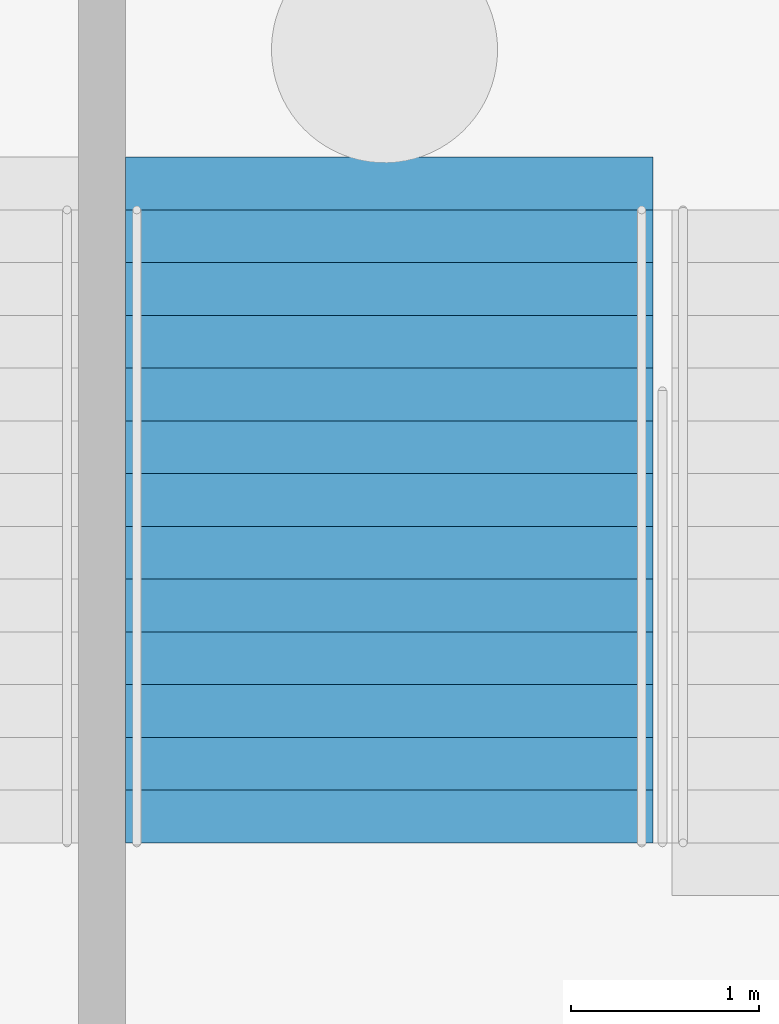
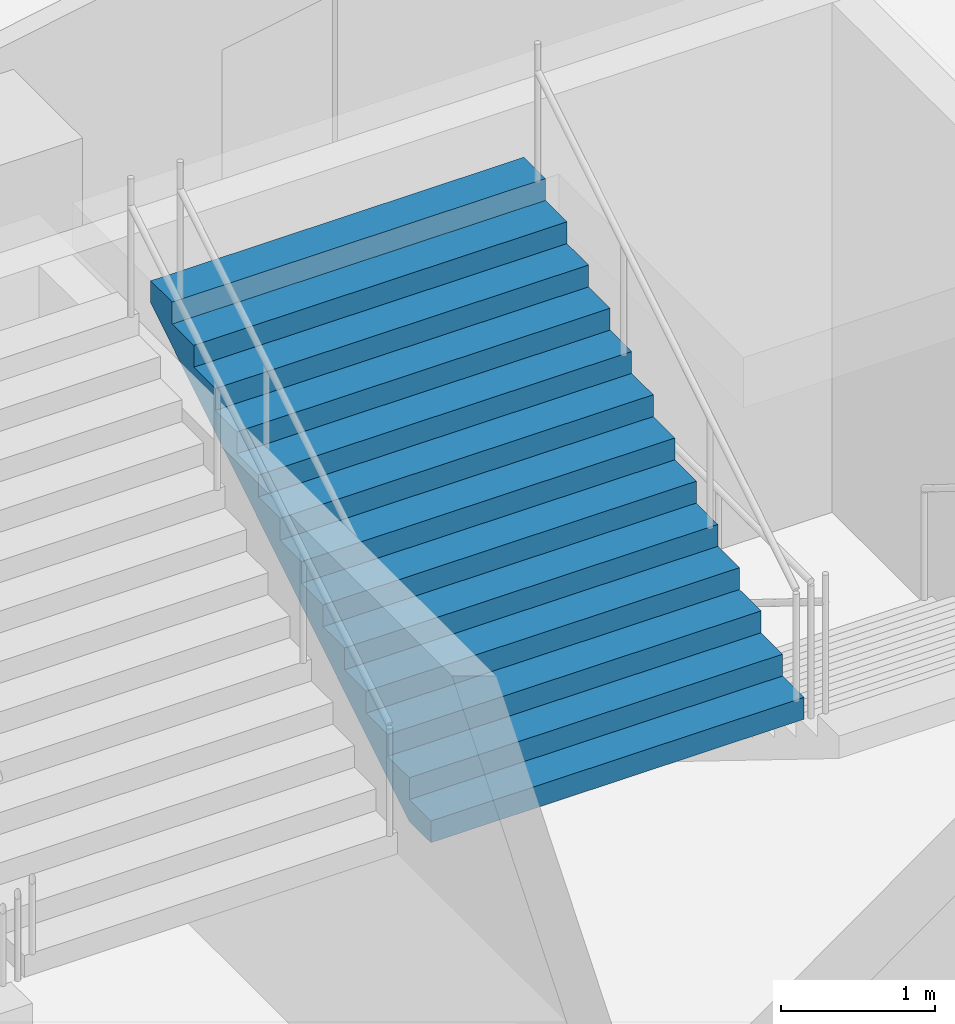
# One storey, part 69 of 115: 1 stair flight, 1 element without a shape of its own.
"""IFC4 building model written with IfcOpenShell, lengths in metres."""

from ifc_helpers import new_model, si_unit, direction, frame, origin, place, context, subcontext, project, spatial, faceted_brep, material, type_object, element, aggregate, save


model = new_model("IFC4")

# Units and contexts
model_context = context("Model", 3, precision=1e-05, world=origin(), true_north=direction((0.0, 1.0)))
body_context = subcontext(model_context, "Body", "Model", "MODEL_VIEW")
ifc_project = project(units=[si_unit("LENGTHUNIT", "METRE"), si_unit("AREAUNIT", "SQUARE_METRE"), si_unit("VOLUMEUNIT", "CUBIC_METRE"), si_unit("PLANEANGLEUNIT", "RADIAN"), si_unit("MASSUNIT", "GRAM", prefix="KILO")], contexts=[model_context])

# Site, building, storey
site_placement = place(None, origin())
site = spatial("IfcSite", under=ifc_project, at=site_placement, CompositionType="ELEMENT")
building_placement = place(site_placement, origin())
building = spatial("IfcBuilding", under=site, at=building_placement, Name="Ogive Plaza Stadium", CompositionType="ELEMENT")
storey_placement = place(building_placement, frame((0.0, 0.0, -4.5)))
storey = spatial("IfcBuildingStorey", under=building, at=storey_placement, Name="B1", CompositionType="ELEMENT", Elevation=-4.5)

# Stair, stair flight
ifc_material_1 = material(Name="Concrete C40/50", Category="concrete")
stair_type = type_object("IfcStairType", Name="Exit stair", PredefinedType="STRAIGHT_RUN_STAIR", material=ifc_material_1)
stair_placement = place(storey_placement, origin())
stair = element("IfcStair", 1, at=stair_placement, inside=storey, type_object=stair_type, Name="Exit stair ST12B B1 to L00", PredefinedType="STRAIGHT_RUN_STAIR")
ifc_material_2 = material(Name="Concrete C40/50", Category="concrete")
stair_flight_type = type_object("IfcStairFlightType", Name="Exit stair flight", PredefinedType="STRAIGHT", material=ifc_material_2)
stair_flight_placement = place(storey_placement, frame((35.52490234375, -98.2099609375, 2.25), z_axis=(0.0, 0.0, 1.0), x_axis=(0.0, 1.0, 0.0)))
stair_flight = element("IfcStairFlight", 2, at=stair_flight_placement, type_object=stair_flight_type, Name="ST12B flight 2", NumberOfRisers=13, NumberOfTreads=12, PredefinedType="STRAIGHT", RiserHeight=0.173076923, TreadLength=0.28, context=body_context, shape_type="Brep", body=[
    faceted_brep([(0.28515625, -1.39990234375, 0.0), (3.639892578125, -1.39990234375, 2.07373046875), (3.639892578125, -1.39990234375, 2.25), (3.360107421875, -1.39990234375, 2.25), (3.360107421875, -1.39990234375, 2.076904296875), (3.080078125, -1.39990234375, 2.076904296875), (3.080078125, -1.39990234375, 1.90380859375), (2.800048828125, -1.39990234375, 1.90380859375), (2.800048828125, -1.39990234375, 1.730712890625), (2.52001953125, -1.39990234375, 1.730712890625), (2.52001953125, -1.39990234375, 1.5576171875), (2.239990234375, -1.39990234375, 1.5576171875), (2.239990234375, -1.39990234375, 1.384521484375), (1.9599609375, -1.39990234375, 1.384521484375), (1.9599609375, -1.39990234375, 1.21142578125), (1.679931640625, -1.39990234375, 1.21142578125), (1.679931640625, -1.39990234375, 1.03857421875), (1.39990234375, -1.39990234375, 1.03857421875), (1.39990234375, -1.39990234375, 0.865478515625), (1.1201171875, -1.39990234375, 0.865478515625), (1.1201171875, -1.39990234375, 0.6923828125), (0.840087890625, -1.39990234375, 0.6923828125), (0.840087890625, -1.39990234375, 0.519287109375), (0.56005859375, -1.39990234375, 0.519287109375), (0.56005859375, -1.39990234375, 0.34619140625), (0.280029296875, -1.39990234375, 0.34619140625), (0.280029296875, -1.39990234375, 0.173095703125), (0.0, -1.39990234375, 0.173095703125), (0.0, -1.39990234375, 0.0), (0.0, 1.39990234375, 0.0), (0.0, 1.39990234375, 0.173095703125), (0.280029296875, 1.39990234375, 0.173095703125), (0.280029296875, 1.39990234375, 0.34619140625), (0.56005859375, 1.39990234375, 0.34619140625), (0.56005859375, 1.39990234375, 0.519287109375), (0.840087890625, 1.39990234375, 0.519287109375), (0.840087890625, 1.39990234375, 0.6923828125), (1.1201171875, 1.39990234375, 0.6923828125), (1.1201171875, 1.39990234375, 0.865478515625), (1.39990234375, 1.39990234375, 0.865478515625), (1.39990234375, 1.39990234375, 1.03857421875), (1.679931640625, 1.39990234375, 1.03857421875), (1.679931640625, 1.39990234375, 1.21142578125), (1.9599609375, 1.39990234375, 1.21142578125), (1.9599609375, 1.39990234375, 1.384521484375), (2.239990234375, 1.39990234375, 1.384521484375), (2.239990234375, 1.39990234375, 1.5576171875), (2.52001953125, 1.39990234375, 1.5576171875), (2.52001953125, 1.39990234375, 1.730712890625), (2.800048828125, 1.39990234375, 1.730712890625), (2.800048828125, 1.39990234375, 1.90380859375), (3.080078125, 1.39990234375, 1.90380859375), (3.080078125, 1.39990234375, 2.076904296875), (3.360107421875, 1.39990234375, 2.076904296875), (3.360107421875, 1.39990234375, 2.25), (3.639892578125, 1.39990234375, 2.25), (3.639892578125, 1.39990234375, 2.07373046875), (0.28515625, 1.39990234375, 0.0), (0.28515625, -1.0888671875, 0.0), (3.639892578125, -1.0888671875, 2.07373046875), (0.28515625, -0.77783203125, 0.0), (3.639892578125, -0.77783203125, 2.07373046875), (0.28515625, -0.466796875, 0.0), (3.639892578125, -0.466796875, 2.07373046875), (0.28515625, -0.155517578125, 0.0), (3.639892578125, -0.155517578125, 2.07373046875), (0.28515625, 0.155517578125, 0.0), (3.639892578125, 0.155517578125, 2.07373046875), (0.28515625, 0.466796875, 0.0), (3.639892578125, 0.466796875, 2.07373046875), (0.28515625, 0.77783203125, 0.0), (3.639892578125, 0.77783203125, 2.07373046875), (0.28515625, 1.0888671875, 0.0), (3.639892578125, 1.0888671875, 2.07373046875), (3.639892578125, -1.0888671875, 2.25), (3.639892578125, -0.77783203125, 2.25), (3.639892578125, -0.466796875, 2.25), (3.639892578125, -0.155517578125, 2.25), (3.639892578125, 0.155517578125, 2.25), (3.639892578125, 0.466796875, 2.25), (3.639892578125, 0.77783203125, 2.25), (3.639892578125, 1.0888671875, 2.25), (3.360107421875, -1.0888671875, 2.25), (3.360107421875, -0.77783203125, 2.25), (3.360107421875, -0.466796875, 2.25), (3.360107421875, -0.155517578125, 2.25), (3.360107421875, 0.155517578125, 2.25), (3.360107421875, 0.466796875, 2.25), (3.360107421875, 0.77783203125, 2.25), (3.360107421875, 1.0888671875, 2.25), (3.360107421875, -1.0888671875, 2.076904296875), (3.360107421875, -0.77783203125, 2.076904296875), (3.360107421875, -0.466796875, 2.076904296875), (3.360107421875, -0.155517578125, 2.076904296875), (3.360107421875, 0.155517578125, 2.076904296875), (3.360107421875, 0.466796875, 2.076904296875), (3.360107421875, 0.77783203125, 2.076904296875), (3.360107421875, 1.0888671875, 2.076904296875), (3.080078125, -1.0888671875, 2.076904296875), (3.080078125, -0.77783203125, 2.076904296875), (3.080078125, -0.466796875, 2.076904296875), (3.080078125, -0.155517578125, 2.076904296875), (3.080078125, 0.155517578125, 2.076904296875), (3.080078125, 0.466796875, 2.076904296875), (3.080078125, 0.77783203125, 2.076904296875), (3.080078125, 1.0888671875, 2.076904296875), (3.080078125, -1.0888671875, 1.90380859375), (3.080078125, -0.77783203125, 1.90380859375), (3.080078125, -0.466796875, 1.90380859375), (3.080078125, -0.155517578125, 1.90380859375), (3.080078125, 0.155517578125, 1.90380859375), (3.080078125, 0.466796875, 1.90380859375), (3.080078125, 0.77783203125, 1.90380859375), (3.080078125, 1.0888671875, 1.90380859375), (2.800048828125, -1.0888671875, 1.90380859375), (2.800048828125, -0.77783203125, 1.90380859375), (2.800048828125, -0.466796875, 1.90380859375), (2.800048828125, -0.155517578125, 1.90380859375), (2.800048828125, 0.155517578125, 1.90380859375), (2.800048828125, 0.466796875, 1.90380859375), (2.800048828125, 0.77783203125, 1.90380859375), (2.800048828125, 1.0888671875, 1.90380859375), (2.800048828125, -1.0888671875, 1.730712890625), (2.800048828125, -0.77783203125, 1.730712890625), (2.800048828125, -0.466796875, 1.730712890625), (2.800048828125, -0.155517578125, 1.730712890625), (2.800048828125, 0.155517578125, 1.730712890625), (2.800048828125, 0.466796875, 1.730712890625), (2.800048828125, 0.77783203125, 1.730712890625), (2.800048828125, 1.0888671875, 1.730712890625), (2.52001953125, -1.0888671875, 1.730712890625), (2.52001953125, -0.77783203125, 1.730712890625), (2.52001953125, -0.466796875, 1.730712890625), (2.52001953125, -0.155517578125, 1.730712890625), (2.52001953125, 0.155517578125, 1.730712890625), (2.52001953125, 0.466796875, 1.730712890625), (2.52001953125, 0.77783203125, 1.730712890625), (2.52001953125, 1.0888671875, 1.730712890625), (2.52001953125, -1.0888671875, 1.5576171875), (2.52001953125, -0.77783203125, 1.5576171875), (2.52001953125, -0.466796875, 1.5576171875), (2.52001953125, -0.155517578125, 1.5576171875), (2.52001953125, 0.155517578125, 1.5576171875), (2.52001953125, 0.466796875, 1.5576171875), (2.52001953125, 0.77783203125, 1.5576171875), (2.52001953125, 1.0888671875, 1.5576171875), (2.239990234375, -1.0888671875, 1.5576171875), (2.239990234375, -0.77783203125, 1.5576171875), (2.239990234375, -0.466796875, 1.5576171875), (2.239990234375, -0.155517578125, 1.5576171875), (2.239990234375, 0.155517578125, 1.5576171875), (2.239990234375, 0.466796875, 1.5576171875), (2.239990234375, 0.77783203125, 1.5576171875), (2.239990234375, 1.0888671875, 1.5576171875), (2.239990234375, -1.0888671875, 1.384521484375), (2.239990234375, -0.77783203125, 1.384521484375), (2.239990234375, -0.466796875, 1.384521484375), (2.239990234375, -0.155517578125, 1.384521484375), (2.239990234375, 0.155517578125, 1.384521484375), (2.239990234375, 0.466796875, 1.384521484375), (2.239990234375, 0.77783203125, 1.384521484375), (2.239990234375, 1.0888671875, 1.384521484375), (1.9599609375, -1.0888671875, 1.384521484375), (1.9599609375, -0.77783203125, 1.384521484375), (1.9599609375, -0.466796875, 1.384521484375), (1.9599609375, -0.155517578125, 1.384521484375), (1.9599609375, 0.155517578125, 1.384521484375), (1.9599609375, 0.466796875, 1.384521484375), (1.9599609375, 0.77783203125, 1.384521484375), (1.9599609375, 1.0888671875, 1.384521484375), (1.9599609375, -1.0888671875, 1.21142578125), (1.9599609375, -0.77783203125, 1.21142578125), (1.9599609375, -0.466796875, 1.21142578125), (1.9599609375, -0.155517578125, 1.21142578125), (1.9599609375, 0.155517578125, 1.21142578125), (1.9599609375, 0.466796875, 1.21142578125), (1.9599609375, 0.77783203125, 1.21142578125), (1.9599609375, 1.0888671875, 1.21142578125), (1.679931640625, -1.0888671875, 1.21142578125), (1.679931640625, -0.77783203125, 1.21142578125), (1.679931640625, -0.466796875, 1.21142578125), (1.679931640625, -0.155517578125, 1.21142578125), (1.679931640625, 0.155517578125, 1.21142578125), (1.679931640625, 0.466796875, 1.21142578125), (1.679931640625, 0.77783203125, 1.21142578125), (1.679931640625, 1.0888671875, 1.21142578125), (1.679931640625, -1.0888671875, 1.03857421875), (1.679931640625, -0.77783203125, 1.03857421875), (1.679931640625, -0.466796875, 1.03857421875), (1.679931640625, -0.155517578125, 1.03857421875), (1.679931640625, 0.155517578125, 1.03857421875), (1.679931640625, 0.466796875, 1.03857421875), (1.679931640625, 0.77783203125, 1.03857421875), (1.679931640625, 1.0888671875, 1.03857421875), (1.39990234375, -1.0888671875, 1.03857421875), (1.39990234375, -0.77783203125, 1.03857421875), (1.39990234375, -0.466796875, 1.03857421875), (1.39990234375, -0.155517578125, 1.03857421875), (1.39990234375, 0.155517578125, 1.03857421875), (1.39990234375, 0.466796875, 1.03857421875), (1.39990234375, 0.77783203125, 1.03857421875), (1.39990234375, 1.0888671875, 1.03857421875), (1.39990234375, -1.0888671875, 0.865478515625), (1.39990234375, -0.77783203125, 0.865478515625), (1.39990234375, -0.466796875, 0.865478515625), (1.39990234375, -0.155517578125, 0.865478515625), (1.39990234375, 0.155517578125, 0.865478515625), (1.39990234375, 0.466796875, 0.865478515625), (1.39990234375, 0.77783203125, 0.865478515625), (1.39990234375, 1.0888671875, 0.865478515625), (1.1201171875, -1.0888671875, 0.865478515625), (1.1201171875, -0.77783203125, 0.865478515625), (1.1201171875, -0.466796875, 0.865478515625), (1.1201171875, -0.155517578125, 0.865478515625), (1.1201171875, 0.155517578125, 0.865478515625), (1.1201171875, 0.466796875, 0.865478515625), (1.1201171875, 0.77783203125, 0.865478515625), (1.1201171875, 1.0888671875, 0.865478515625), (1.1201171875, -1.0888671875, 0.6923828125), (1.1201171875, -0.77783203125, 0.6923828125), (1.1201171875, -0.466796875, 0.6923828125), (1.1201171875, -0.155517578125, 0.6923828125), (1.1201171875, 0.155517578125, 0.6923828125), (1.1201171875, 0.466796875, 0.6923828125), (1.1201171875, 0.77783203125, 0.6923828125), (1.1201171875, 1.0888671875, 0.6923828125), (0.840087890625, -1.0888671875, 0.6923828125), (0.840087890625, -0.77783203125, 0.6923828125), (0.840087890625, -0.466796875, 0.6923828125), (0.840087890625, -0.155517578125, 0.6923828125), (0.840087890625, 0.155517578125, 0.6923828125), (0.840087890625, 0.466796875, 0.6923828125), (0.840087890625, 0.77783203125, 0.6923828125), (0.840087890625, 1.0888671875, 0.6923828125), (0.840087890625, -1.0888671875, 0.519287109375), (0.840087890625, -0.77783203125, 0.519287109375), (0.840087890625, -0.466796875, 0.519287109375), (0.840087890625, -0.155517578125, 0.519287109375), (0.840087890625, 0.155517578125, 0.519287109375), (0.840087890625, 0.466796875, 0.519287109375), (0.840087890625, 0.77783203125, 0.519287109375), (0.840087890625, 1.0888671875, 0.519287109375), (0.56005859375, -1.0888671875, 0.519287109375), (0.56005859375, -0.77783203125, 0.519287109375), (0.56005859375, -0.466796875, 0.519287109375), (0.56005859375, -0.155517578125, 0.519287109375), (0.56005859375, 0.155517578125, 0.519287109375), (0.56005859375, 0.466796875, 0.519287109375), (0.56005859375, 0.77783203125, 0.519287109375), (0.56005859375, 1.0888671875, 0.519287109375), (0.56005859375, -1.0888671875, 0.34619140625), (0.56005859375, -0.77783203125, 0.34619140625), (0.56005859375, -0.466796875, 0.34619140625), (0.56005859375, -0.155517578125, 0.34619140625), (0.56005859375, 0.155517578125, 0.34619140625), (0.56005859375, 0.466796875, 0.34619140625), (0.56005859375, 0.77783203125, 0.34619140625), (0.56005859375, 1.0888671875, 0.34619140625), (0.280029296875, -1.0888671875, 0.34619140625), (0.280029296875, -0.77783203125, 0.34619140625), (0.280029296875, -0.466796875, 0.34619140625), (0.280029296875, -0.155517578125, 0.34619140625), (0.280029296875, 0.155517578125, 0.34619140625), (0.280029296875, 0.466796875, 0.34619140625), (0.280029296875, 0.77783203125, 0.34619140625), (0.280029296875, 1.0888671875, 0.34619140625), (0.280029296875, -1.0888671875, 0.173095703125), (0.280029296875, -0.77783203125, 0.173095703125), (0.280029296875, -0.466796875, 0.173095703125), (0.280029296875, -0.155517578125, 0.173095703125), (0.280029296875, 0.155517578125, 0.173095703125), (0.280029296875, 0.466796875, 0.173095703125), (0.280029296875, 0.77783203125, 0.173095703125), (0.280029296875, 1.0888671875, 0.173095703125), (0.0, -1.0888671875, 0.173095703125), (0.0, -0.77783203125, 0.173095703125), (0.0, -0.466796875, 0.173095703125), (0.0, -0.155517578125, 0.173095703125), (0.0, 0.155517578125, 0.173095703125), (0.0, 0.466796875, 0.173095703125), (0.0, 0.77783203125, 0.173095703125), (0.0, 1.0888671875, 0.173095703125), (0.0, -1.0888671875, 0.0), (0.0, -0.77783203125, 0.0), (0.0, -0.466796875, 0.0), (0.0, -0.155517578125, 0.0), (0.0, 0.155517578125, 0.0), (0.0, 0.466796875, 0.0), (0.0, 0.77783203125, 0.0), (0.0, 1.0888671875, 0.0)], [[[0, 1, 2, 3, 4, 5, 6, 7, 8, 9, 10, 11, 12, 13, 14, 15, 16, 17, 18, 19, 20, 21, 22, 23, 24, 25, 26, 27, 28]], [[29, 30, 31, 32, 33, 34, 35, 36, 37, 38, 39, 40, 41, 42, 43, 44, 45, 46, 47, 48, 49, 50, 51, 52, 53, 54, 55, 56, 57]], [[0, 58, 59, 1]], [[58, 60, 61, 59]], [[60, 62, 63, 61]], [[62, 64, 65, 63]], [[64, 66, 67, 65]], [[66, 68, 69, 67]], [[68, 70, 71, 69]], [[70, 72, 73, 71]], [[72, 57, 56, 73]], [[1, 59, 74, 2]], [[59, 61, 75, 74]], [[61, 63, 76, 75]], [[63, 65, 77, 76]], [[65, 67, 78, 77]], [[67, 69, 79, 78]], [[69, 71, 80, 79]], [[71, 73, 81, 80]], [[73, 56, 55, 81]], [[2, 74, 82, 3]], [[74, 75, 83, 82]], [[75, 76, 84, 83]], [[76, 77, 85, 84]], [[77, 78, 86, 85]], [[78, 79, 87, 86]], [[79, 80, 88, 87]], [[80, 81, 89, 88]], [[81, 55, 54, 89]], [[3, 82, 90, 4]], [[82, 83, 91, 90]], [[83, 84, 92, 91]], [[84, 85, 93, 92]], [[85, 86, 94, 93]], [[86, 87, 95, 94]], [[87, 88, 96, 95]], [[88, 89, 97, 96]], [[89, 54, 53, 97]], [[4, 90, 98, 5]], [[90, 91, 99, 98]], [[91, 92, 100, 99]], [[92, 93, 101, 100]], [[93, 94, 102, 101]], [[94, 95, 103, 102]], [[95, 96, 104, 103]], [[96, 97, 105, 104]], [[97, 53, 52, 105]], [[5, 98, 106, 6]], [[98, 99, 107, 106]], [[99, 100, 108, 107]], [[100, 101, 109, 108]], [[101, 102, 110, 109]], [[102, 103, 111, 110]], [[103, 104, 112, 111]], [[104, 105, 113, 112]], [[105, 52, 51, 113]], [[6, 106, 114, 7]], [[106, 107, 115, 114]], [[107, 108, 116, 115]], [[108, 109, 117, 116]], [[109, 110, 118, 117]], [[110, 111, 119, 118]], [[111, 112, 120, 119]], [[112, 113, 121, 120]], [[113, 51, 50, 121]], [[7, 114, 122, 8]], [[114, 115, 123, 122]], [[115, 116, 124, 123]], [[116, 117, 125, 124]], [[117, 118, 126, 125]], [[118, 119, 127, 126]], [[119, 120, 128, 127]], [[120, 121, 129, 128]], [[121, 50, 49, 129]], [[8, 122, 130, 9]], [[122, 123, 131, 130]], [[123, 124, 132, 131]], [[124, 125, 133, 132]], [[125, 126, 134, 133]], [[126, 127, 135, 134]], [[127, 128, 136, 135]], [[128, 129, 137, 136]], [[129, 49, 48, 137]], [[9, 130, 138, 10]], [[130, 131, 139, 138]], [[131, 132, 140, 139]], [[132, 133, 141, 140]], [[133, 134, 142, 141]], [[134, 135, 143, 142]], [[135, 136, 144, 143]], [[136, 137, 145, 144]], [[137, 48, 47, 145]], [[10, 138, 146, 11]], [[138, 139, 147, 146]], [[139, 140, 148, 147]], [[140, 141, 149, 148]], [[141, 142, 150, 149]], [[142, 143, 151, 150]], [[143, 144, 152, 151]], [[144, 145, 153, 152]], [[145, 47, 46, 153]], [[11, 146, 154, 12]], [[146, 147, 155, 154]], [[147, 148, 156, 155]], [[148, 149, 157, 156]], [[149, 150, 158, 157]], [[150, 151, 159, 158]], [[151, 152, 160, 159]], [[152, 153, 161, 160]], [[153, 46, 45, 161]], [[12, 154, 162, 13]], [[154, 155, 163, 162]], [[155, 156, 164, 163]], [[156, 157, 165, 164]], [[157, 158, 166, 165]], [[158, 159, 167, 166]], [[159, 160, 168, 167]], [[160, 161, 169, 168]], [[161, 45, 44, 169]], [[13, 162, 170, 14]], [[162, 163, 171, 170]], [[163, 164, 172, 171]], [[164, 165, 173, 172]], [[165, 166, 174, 173]], [[166, 167, 175, 174]], [[167, 168, 176, 175]], [[168, 169, 177, 176]], [[169, 44, 43, 177]], [[14, 170, 178, 15]], [[170, 171, 179, 178]], [[171, 172, 180, 179]], [[172, 173, 181, 180]], [[173, 174, 182, 181]], [[174, 175, 183, 182]], [[175, 176, 184, 183]], [[176, 177, 185, 184]], [[177, 43, 42, 185]], [[15, 178, 186, 16]], [[178, 179, 187, 186]], [[179, 180, 188, 187]], [[180, 181, 189, 188]], [[181, 182, 190, 189]], [[182, 183, 191, 190]], [[183, 184, 192, 191]], [[184, 185, 193, 192]], [[185, 42, 41, 193]], [[16, 186, 194, 17]], [[186, 187, 195, 194]], [[187, 188, 196, 195]], [[188, 189, 197, 196]], [[189, 190, 198, 197]], [[190, 191, 199, 198]], [[191, 192, 200, 199]], [[192, 193, 201, 200]], [[193, 41, 40, 201]], [[17, 194, 202, 18]], [[194, 195, 203, 202]], [[195, 196, 204, 203]], [[196, 197, 205, 204]], [[197, 198, 206, 205]], [[198, 199, 207, 206]], [[199, 200, 208, 207]], [[200, 201, 209, 208]], [[201, 40, 39, 209]], [[18, 202, 210, 19]], [[202, 203, 211, 210]], [[203, 204, 212, 211]], [[204, 205, 213, 212]], [[205, 206, 214, 213]], [[206, 207, 215, 214]], [[207, 208, 216, 215]], [[208, 209, 217, 216]], [[209, 39, 38, 217]], [[19, 210, 218, 20]], [[210, 211, 219, 218]], [[211, 212, 220, 219]], [[212, 213, 221, 220]], [[213, 214, 222, 221]], [[214, 215, 223, 222]], [[215, 216, 224, 223]], [[216, 217, 225, 224]], [[217, 38, 37, 225]], [[20, 218, 226, 21]], [[218, 219, 227, 226]], [[219, 220, 228, 227]], [[220, 221, 229, 228]], [[221, 222, 230, 229]], [[222, 223, 231, 230]], [[223, 224, 232, 231]], [[224, 225, 233, 232]], [[225, 37, 36, 233]], [[21, 226, 234, 22]], [[226, 227, 235, 234]], [[227, 228, 236, 235]], [[228, 229, 237, 236]], [[229, 230, 238, 237]], [[230, 231, 239, 238]], [[231, 232, 240, 239]], [[232, 233, 241, 240]], [[233, 36, 35, 241]], [[22, 234, 242, 23]], [[234, 235, 243, 242]], [[235, 236, 244, 243]], [[236, 237, 245, 244]], [[237, 238, 246, 245]], [[238, 239, 247, 246]], [[239, 240, 248, 247]], [[240, 241, 249, 248]], [[241, 35, 34, 249]], [[23, 242, 250, 24]], [[242, 243, 251, 250]], [[243, 244, 252, 251]], [[244, 245, 253, 252]], [[245, 246, 254, 253]], [[246, 247, 255, 254]], [[247, 248, 256, 255]], [[248, 249, 257, 256]], [[249, 34, 33, 257]], [[24, 250, 258, 25]], [[250, 251, 259, 258]], [[251, 252, 260, 259]], [[252, 253, 261, 260]], [[253, 254, 262, 261]], [[254, 255, 263, 262]], [[255, 256, 264, 263]], [[256, 257, 265, 264]], [[257, 33, 32, 265]], [[25, 258, 266, 26]], [[258, 259, 267, 266]], [[259, 260, 268, 267]], [[260, 261, 269, 268]], [[261, 262, 270, 269]], [[262, 263, 271, 270]], [[263, 264, 272, 271]], [[264, 265, 273, 272]], [[265, 32, 31, 273]], [[26, 266, 274, 27]], [[266, 267, 275, 274]], [[267, 268, 276, 275]], [[268, 269, 277, 276]], [[269, 270, 278, 277]], [[270, 271, 279, 278]], [[271, 272, 280, 279]], [[272, 273, 281, 280]], [[273, 31, 30, 281]], [[27, 274, 282, 28]], [[274, 275, 283, 282]], [[275, 276, 284, 283]], [[276, 277, 285, 284]], [[277, 278, 286, 285]], [[278, 279, 287, 286]], [[279, 280, 288, 287]], [[280, 281, 289, 288]], [[281, 30, 29, 289]], [[28, 282, 58, 0]], [[282, 283, 60, 58]], [[283, 284, 62, 60]], [[284, 285, 64, 62]], [[285, 286, 66, 64]], [[286, 287, 68, 66]], [[287, 288, 70, 68]], [[288, 289, 72, 70]], [[289, 29, 57, 72]]]),
])
aggregate(stair, [stair_flight])

save(model, "model.ifc")
